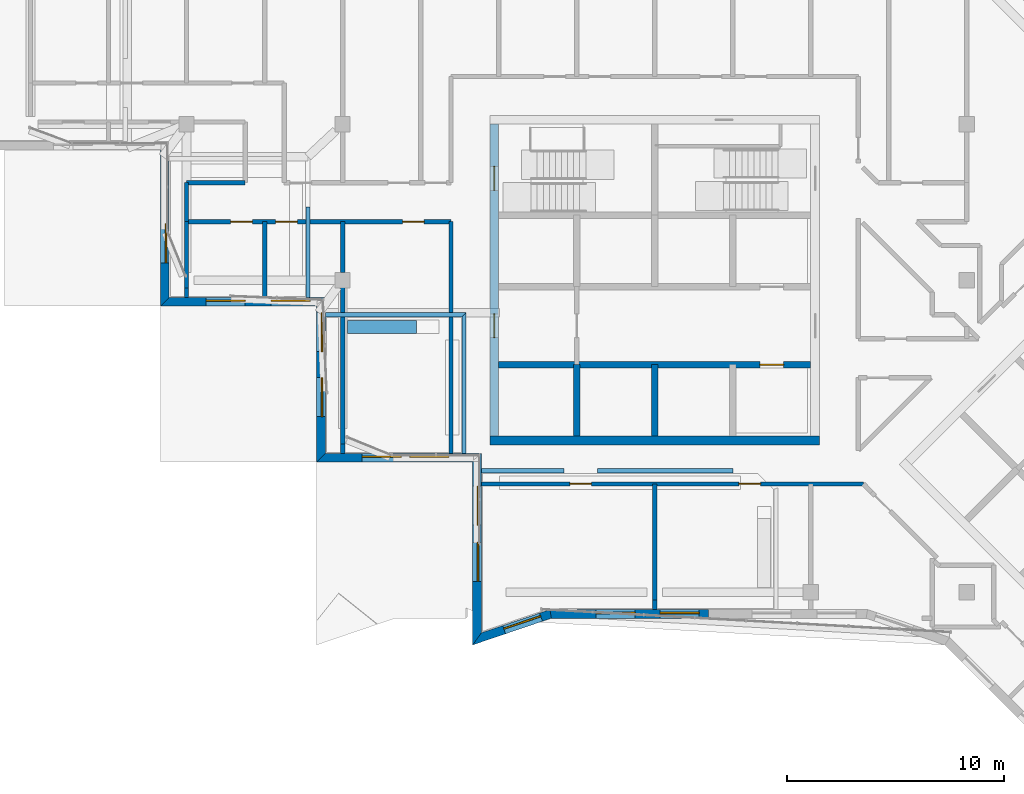
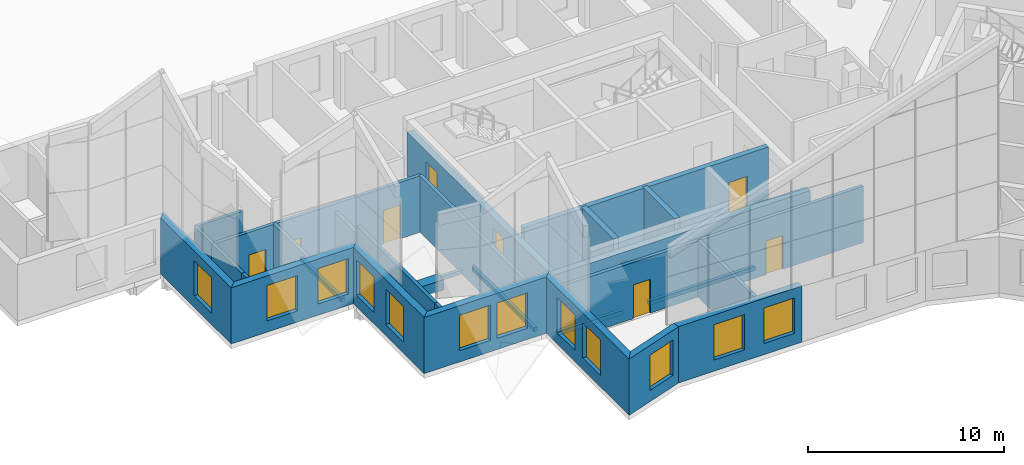
# One storey, part 11 of 20: 31 walls, 12 windows, 8 doors, 20 openings.
"""IFC4 building model written with IfcOpenShell, lengths in metres."""

from ifc_helpers import new_model, si_unit, direction, frame, frame_2d, origin, place, context, subcontext, project, spatial, polyline, rectangle, outline, extrude, material, layer, layer_set, type_object, element, fill, save


model = new_model("IFC4")

# Units and contexts
model_context = context("Model", 3, precision=1e-05, world=origin(), true_north=direction((0.0, 1.0)))
body_context = subcontext(model_context, "Body", "Model", "MODEL_VIEW")
ifc_project = project(units=[si_unit("LENGTHUNIT", "METRE"), si_unit("AREAUNIT", "SQUARE_METRE"), si_unit("VOLUMEUNIT", "CUBIC_METRE"), si_unit("PLANEANGLEUNIT", "RADIAN"), si_unit("MASSUNIT", "GRAM", prefix="KILO")], contexts=[model_context])

# Site, building, storey
site_placement = place(None, origin())
site = spatial("IfcSite", under=ifc_project, at=site_placement, CompositionType="ELEMENT")
building_placement = place(site_placement, origin())
building = spatial("IfcBuilding", under=site, at=building_placement, Name="Windrow Commons", CompositionType="ELEMENT")
storey_placement = place(building_placement, frame((0.0, 0.0, 290.6)))
storey = spatial("IfcBuildingStorey", under=building, at=storey_placement, Name="L79", CompositionType="ELEMENT", Elevation=290.6)

# Wall, openings, doors
ifc_material_1 = material(Name="Blockwork partition", Category="masonry")
ifc_layer_1 = layer(ifc_material_1, 0.2)
ifc_layer_set_1 = layer_set([ifc_layer_1], Name="IW-CORRIDOR-200")
wall_type_1 = type_object("IfcWallType", Name="IW-CORRIDOR-200", PredefinedType="PARTITIONING", material=ifc_layer_set_1)
wall_1_placement = place(storey_placement, frame((56.8, 48.2, 0.0), z_axis=(0.0, 0.0, 1.0), x_axis=(1.0, 0.0, 0.0)))
wall_1 = element("IfcWall", 1, at=wall_1_placement, inside=storey, type_object=wall_type_1, Name="W-L79-W003", PredefinedType="PARTITIONING", context=body_context, shape_type="SweptSolid", body=[
    extrude(rectangle(XDim=17.632, YDim=0.2, at=frame_2d((8.816, 0.0))), origin(), (0.0, 0.0, 1.0), 3.5),
])
opening_1_placement = place(wall_1_placement, frame((4.0813, 0.0, 0.0)))
opening_1 = element("IfcOpeningElement", 2, at=opening_1_placement, cuts=wall_1, Name="Opening D410F", PredefinedType="OPENING", context=body_context, shape_type="SweptSolid", body=[
    extrude(rectangle(XDim=1.0, YDim=2.1, at=frame_2d((0.5, 1.05))), frame((0.0, 0.11, 0.0), z_axis=(0.0, -1.0, 0.0), x_axis=(1.0, 0.0, 0.0)), (0.0, 0.0, 1.0), 0.22),
])
opening_2_placement = place(wall_1_placement, frame((11.8862, 0.0, 0.0)))
opening_2 = element("IfcOpeningElement", 3, at=opening_2_placement, cuts=wall_1, Name="Opening D410F", PredefinedType="OPENING", context=body_context, shape_type="SweptSolid", body=[
    extrude(rectangle(XDim=1.0, YDim=2.1, at=frame_2d((0.5, 1.05))), frame((0.0, 0.11, 0.0), z_axis=(0.0, -1.0, 0.0), x_axis=(1.0, 0.0, 0.0)), (0.0, 0.0, 1.0), 0.22),
])
ifc_material_2 = material(Name="Timber door leaf", Category="wood")
door_type_1 = type_object("IfcDoorType", Name="DT-SERVICE-1000", OperationType="SINGLE_SWING_LEFT", PredefinedType="DOOR", material=ifc_material_2)
door_1_placement = place(opening_1_placement, origin())
door_1 = element("IfcDoor", 4, at=door_1_placement, inside=storey, type_object=door_type_1, Name="D-L79-D000", OperationType="SINGLE_SWING_LEFT", OverallHeight=2.1, OverallWidth=1.0, PredefinedType="DOOR", context=body_context, shape_type="SweptSolid", body=[
    extrude(rectangle(XDim=1.0, YDim=2.1, at=frame_2d((0.5, 1.05))), frame((0.0, 0.025, 0.0), z_axis=(0.0, -1.0, 0.0), x_axis=(1.0, 0.0, 0.0)), (0.0, 0.0, 1.0), 0.05),
])
fill(opening_1, door_1)
door_2_placement = place(opening_2_placement, origin())
door_2 = element("IfcDoor", 5, at=door_2_placement, inside=storey, type_object=door_type_1, Name="D-L79-D001", OperationType="SINGLE_SWING_LEFT", OverallHeight=2.1, OverallWidth=1.0, PredefinedType="DOOR", context=body_context, shape_type="SweptSolid", body=[
    extrude(rectangle(XDim=1.0, YDim=2.1, at=frame_2d((0.5, 1.05))), frame((0.0, 0.025, 0.0), z_axis=(0.0, -1.0, 0.0), x_axis=(1.0, 0.0, 0.0)), (0.0, 0.0, 1.0), 0.05),
])
fill(opening_2, door_2)

wall_2_placement = place(storey_placement, frame((43.2, 60.3, 0.0), z_axis=(0.0, 0.0, 1.0), x_axis=(1.0, 0.0, 0.0)))
wall_2 = element("IfcWall", 6, at=wall_2_placement, inside=storey, type_object=wall_type_1, Name="W-L79-W004", PredefinedType="PARTITIONING", context=body_context, shape_type="SweptSolid", body=[
    extrude(rectangle(XDim=12.2, YDim=0.2, at=frame_2d((6.1, 0.0))), origin(), (0.0, 0.0, 1.0), 3.5),
])
opening_3_placement = place(wall_2_placement, frame((2.0325, 0.0, 0.0)))
opening_3 = element("IfcOpeningElement", 7, at=opening_3_placement, cuts=wall_2, Name="Opening D410F", PredefinedType="OPENING", context=body_context, shape_type="SweptSolid", body=[
    extrude(rectangle(XDim=1.0, YDim=2.1, at=frame_2d((0.5, 1.05))), frame((0.0, 0.11, 0.0), z_axis=(0.0, -1.0, 0.0), x_axis=(1.0, 0.0, 0.0)), (0.0, 0.0, 1.0), 0.22),
])
opening_4_placement = place(wall_2_placement, frame((4.1075, 0.0, 0.0)))
opening_4 = element("IfcOpeningElement", 8, at=opening_4_placement, cuts=wall_2, Name="Opening D410F", PredefinedType="OPENING", context=body_context, shape_type="SweptSolid", body=[
    extrude(rectangle(XDim=1.0, YDim=2.1, at=frame_2d((0.5, 1.05))), frame((0.0, 0.11, 0.0), z_axis=(0.0, -1.0, 0.0), x_axis=(1.0, 0.0, 0.0)), (0.0, 0.0, 1.0), 0.22),
])
opening_5_placement = place(wall_2_placement, frame((9.9647, 0.0, 0.0)))
opening_5 = element("IfcOpeningElement", 9, at=opening_5_placement, cuts=wall_2, Name="Opening D410F", PredefinedType="OPENING", context=body_context, shape_type="SweptSolid", body=[
    extrude(rectangle(XDim=1.0, YDim=2.1, at=frame_2d((0.5, 1.05))), frame((0.0, 0.11, 0.0), z_axis=(0.0, -1.0, 0.0), x_axis=(1.0, 0.0, 0.0)), (0.0, 0.0, 1.0), 0.22),
])
door_3_placement = place(opening_3_placement, origin())
door_3 = element("IfcDoor", 10, at=door_3_placement, inside=storey, type_object=door_type_1, Name="D-L79-D010", OperationType="SINGLE_SWING_LEFT", OverallHeight=2.1, OverallWidth=1.0, PredefinedType="DOOR", context=body_context, shape_type="SweptSolid", body=[
    extrude(rectangle(XDim=1.0, YDim=2.1, at=frame_2d((0.5, 1.05))), frame((0.0, 0.025, 0.0), z_axis=(0.0, -1.0, 0.0), x_axis=(1.0, 0.0, 0.0)), (0.0, 0.0, 1.0), 0.05),
])
fill(opening_3, door_3)
door_4_placement = place(opening_4_placement, origin())
door_4 = element("IfcDoor", 11, at=door_4_placement, inside=storey, type_object=door_type_1, Name="D-L79-D016", OperationType="SINGLE_SWING_RIGHT", OverallHeight=2.1, OverallWidth=1.0, PredefinedType="DOOR", context=body_context, shape_type="SweptSolid", body=[
    extrude(rectangle(XDim=1.0, YDim=2.1, at=frame_2d((0.5, 1.05))), frame((0.0, 0.025, 0.0), z_axis=(0.0, -1.0, 0.0), x_axis=(1.0, 0.0, 0.0)), (0.0, 0.0, 1.0), 0.05),
])
fill(opening_4, door_4)
door_5_placement = place(opening_5_placement, origin())
door_5 = element("IfcDoor", 12, at=door_5_placement, inside=storey, type_object=door_type_1, Name="D-L79-D017", OperationType="SINGLE_SWING_LEFT", OverallHeight=2.1, OverallWidth=1.0, PredefinedType="DOOR", context=body_context, shape_type="SweptSolid", body=[
    extrude(rectangle(XDim=1.0, YDim=2.1, at=frame_2d((0.5, 1.05))), frame((0.0, 0.025, 0.0), z_axis=(0.0, -1.0, 0.0), x_axis=(1.0, 0.0, 0.0)), (0.0, 0.0, 1.0), 0.05),
])
fill(opening_5, door_5)

# Walls
wall_3_placement = place(storey_placement, frame((55.4, 49.6, 0.0), z_axis=(0.0, 0.0, 1.0), x_axis=(0.0, 1.0, 0.0)))
element("IfcWall", 13, at=wall_3_placement, inside=storey, type_object=wall_type_1, Name="W-L79-W007", PredefinedType="PARTITIONING", context=body_context, shape_type="SweptSolid", body=[
    extrude(rectangle(XDim=10.7, YDim=0.2, at=frame_2d((5.35, 0.0))), origin(), (0.0, 0.0, 1.0), 3.5),
])
wall_4_placement = place(storey_placement, frame((43.202, 62.1, 0.0), z_axis=(0.0, 0.0, 1.0), x_axis=(1.0, 0.0, 0.0)))
element("IfcWall", 14, at=wall_4_placement, inside=storey, type_object=wall_type_1, Name="W-L79-W052", PredefinedType="PARTITIONING", context=body_context, shape_type="SweptSolid", body=[
    extrude(rectangle(XDim=2.698, YDim=0.2, at=frame_2d((1.349, 0.0))), origin(), (0.0, 0.0, 1.0), 3.5),
])
wall_5_placement = place(storey_placement, frame((43.2, 60.3, 0.0), z_axis=(0.0, 0.0, 1.0), x_axis=(0.0, 1.0, 0.0)))
element("IfcWall", 15, at=wall_5_placement, inside=storey, type_object=wall_type_1, Name="W-L79-W069", PredefinedType="PARTITIONING", context=body_context, shape_type="SweptSolid", body=[
    extrude(rectangle(XDim=1.8, YDim=0.2, at=frame_2d((0.9, 0.0))), origin(), (0.0, 0.0, 1.0), 3.5),
])
ifc_material_3 = material(Name="Blockwork partition", Category="masonry")
ifc_layer_2 = layer(ifc_material_3, 0.2)
ifc_layer_set_2 = layer_set([ifc_layer_2], Name="IW-PARTY-200")
wall_type_2 = type_object("IfcWallType", Name="IW-PARTY-200", PredefinedType="PARTITIONING", material=ifc_layer_set_2)
wall_6_placement = place(storey_placement, frame((50.4, 50.05, 0.0), z_axis=(0.0, 0.0, 1.0), x_axis=(0.0, 1.0, 0.0)))
element("IfcWall", 16, at=wall_6_placement, inside=storey, type_object=wall_type_2, Name="W-L79-W016", PredefinedType="PARTITIONING", context=body_context, shape_type="SweptSolid", body=[
    extrude(rectangle(XDim=7.9, YDim=0.2, at=frame_2d((3.95, 0.0))), origin(), (0.0, 0.0, 1.0), 3.5),
])
wall_7_placement = place(storey_placement, frame((64.8, 42.85, 0.0), z_axis=(0.0, 0.0, 1.0), x_axis=(0.0, 1.0, 0.0)))
element("IfcWall", 17, at=wall_7_placement, inside=storey, type_object=wall_type_2, Name="W-L79-W034", PredefinedType="PARTITIONING", context=body_context, shape_type="SweptSolid", body=[
    extrude(rectangle(XDim=5.35, YDim=0.2, at=frame_2d((2.675, 0.0))), origin(), (0.0, 0.0, 1.0), 3.5),
])
wall_8_placement = place(storey_placement, frame((43.2, 57.25, 0.0), z_axis=(0.0, 0.0, 1.0), x_axis=(0.0, 1.0, 0.0)))
element("IfcWall", 18, at=wall_8_placement, inside=storey, type_object=wall_type_2, Name="W-L79-W061", PredefinedType="PARTITIONING", context=body_context, shape_type="SweptSolid", body=[
    extrude(rectangle(XDim=3.05, YDim=0.2, at=frame_2d((1.525, 0.0))), origin(), (0.0, 0.0, 1.0), 3.5),
])
wall_9_placement = place(storey_placement, frame((50.4, 57.95, 0.0), z_axis=(0.0, 0.0, 1.0), x_axis=(0.0, 1.0, 0.0)))
element("IfcWall", 19, at=wall_9_placement, inside=storey, type_object=wall_type_2, Name="W-L79-W062", PredefinedType="PARTITIONING", context=body_context, shape_type="SweptSolid", body=[
    extrude(rectangle(XDim=2.35, YDim=0.2, at=frame_2d((1.175, 0.0))), origin(), (0.0, 0.0, 1.0), 3.0),
])
wall_10_placement = place(storey_placement, frame((46.8, 56.8, 0.0), z_axis=(0.0, 0.0, 1.0), x_axis=(0.0, 1.0, 0.0)))
element("IfcWall", 20, at=wall_10_placement, inside=storey, type_object=wall_type_2, Name="W-L79-W043", PredefinedType="PARTITIONING", context=body_context, shape_type="SweptSolid", body=[
    extrude(outline(polyline([(0.0, -0.1), (3.5, -0.1), (3.5, 0.1), (0.0, 0.1), (0.0, -0.1)])), origin(), (0.0, 0.0, 1.0), 3.5),
])
for number, where, z_axis, x_axis, name in (
    (21, (43.2, 56.8, 0.0), (0.0, 0.0, 1.0), (0.0, 1.0, 0.0), "W-L79-W086"),
    (22, (50.4, 49.6, 0.0), (0.0, 0.0, 1.0), (0.0, 1.0, 0.0), "W-L79-W087"),
    (23, (64.8, 42.4, 0.0), (0.0, 0.0, 1.0), (0.0, 1.0, 0.0), "W-L79-W088"),
):
    element("IfcWall", number, at=place(storey_placement, frame(where, z_axis=z_axis, x_axis=x_axis)), inside=storey, type_object=wall_type_2, Name=name, PredefinedType="PARTITIONING", context=body_context, shape_type="SweptSolid", body=[
        extrude(outline(polyline([(0.0, -0.1), (0.45, -0.1), (0.45, 0.1), (0.0, 0.1), (0.0, -0.1)])), origin(), (0.0, 0.0, 1.0), 3.5),
    ])
ifc_material_4 = material(Name="Concrete C30/37 planter wall", Category="concrete")
ifc_layer_3 = layer(ifc_material_4, 0.6)
ifc_layer_set_3 = layer_set([ifc_layer_3], Name="Planter 600x450")
wall_type_3 = type_object("IfcWallType", Name="Planter 600x450", PredefinedType="SOLIDWALL", material=ifc_layer_set_3)
wall_11_placement = place(storey_placement, frame((53.8, 55.45, 0.0), z_axis=(0.0, 0.0, 1.0), x_axis=(-1.0, 0.0, 0.0)))
element("IfcWall", 24, at=wall_11_placement, inside=storey, type_object=wall_type_3, Name="PLANTER TR-L79-3.2", PredefinedType="SOLIDWALL", context=body_context, shape_type="SweptSolid", body=[
    extrude(outline(polyline([(0.0, -0.3), (3.18, -0.3), (3.18, 0.3), (0.0, 0.3), (0.0, -0.3)])), origin(), (0.0, 0.0, 1.0), 0.65),
])
ifc_material_5 = material(Name="Concrete C40/50", Category="concrete")
ifc_layer_4 = layer(ifc_material_5, 0.4)
ifc_layer_set_4 = layer_set([ifc_layer_4], Name="RC CORE WALL 400 C40/50")
wall_type_4 = type_object("IfcWallType", Name="RC CORE WALL 400 C40/50", PredefinedType="SHEAR", material=ifc_layer_set_4)
wall_12_placement = place(storey_placement, frame((57.2, 50.2, -0.3), z_axis=(0.0, 0.0, 1.0), x_axis=(1.0, 0.0, 0.0)))
element("IfcWall", 25, at=wall_12_placement, inside=storey, type_object=wall_type_4, Name="Core A wall outer-S", PredefinedType="SHEAR", context=body_context, shape_type="SweptSolid", body=[
    extrude(rectangle(XDim=15.2, YDim=0.4, at=frame_2d((7.6, 0.0))), origin(), (0.0, 0.0, 1.0), 3.1),
])

# Wall, openings, doors
wall_13_placement = place(storey_placement, frame((57.4, 50.4, -0.3), z_axis=(0.0, 0.0, 1.0), x_axis=(0.0, 1.0, 0.0)))
wall_13 = element("IfcWall", 26, at=wall_13_placement, inside=storey, type_object=wall_type_4, Name="Core A wall outer-W", PredefinedType="SHEAR", context=body_context, shape_type="SweptSolid", body=[
    extrude(rectangle(XDim=14.4, YDim=0.4, at=frame_2d((7.2, 0.0))), origin(), (0.0, 0.0, 1.0), 3.1),
])
opening_6_placement = place(wall_13_placement, frame((4.55, 0.0, 0.3)))
opening_6 = element("IfcOpeningElement", 27, at=opening_6_placement, cuts=wall_13, Name="Opening D6", PredefinedType="OPENING", context=body_context, shape_type="SweptSolid", body=[
    extrude(rectangle(XDim=1.1, YDim=2.1, at=frame_2d((0.55, 1.05))), frame((0.0, 0.21, 0.0), z_axis=(0.0, -1.0, 0.0), x_axis=(1.0, 0.0, 0.0)), (0.0, 0.0, 1.0), 0.42),
])
opening_7_placement = place(wall_13_placement, frame((11.35, 0.0, 0.3)))
opening_7 = element("IfcOpeningElement", 28, at=opening_7_placement, cuts=wall_13, Name="Opening D7", PredefinedType="OPENING", context=body_context, shape_type="SweptSolid", body=[
    extrude(rectangle(XDim=1.1, YDim=2.1, at=frame_2d((0.55, 1.05))), frame((0.0, 0.21, 0.0), z_axis=(0.0, -1.0, 0.0), x_axis=(1.0, 0.0, 0.0)), (0.0, 0.0, 1.0), 0.42),
])
ifc_material_6 = material(Name="Steel fire door leaf", Category="steel")
door_type_2 = type_object("IfcDoorType", Name="Core lobby door 1100", OperationType="SINGLE_SWING_LEFT", PredefinedType="DOOR", material=ifc_material_6)
door_6_placement = place(opening_6_placement, origin())
door_6 = element("IfcDoor", 29, at=door_6_placement, inside=storey, type_object=door_type_2, Name="Lift lobby door", OperationType="DOUBLE_DOOR_SINGLE_SWING", OverallHeight=2.1, OverallWidth=1.1, PredefinedType="DOOR", context=body_context, shape_type="SweptSolid", body=[
    extrude(rectangle(XDim=1.1, YDim=2.1, at=frame_2d((0.55, 1.05))), frame((0.0, 0.025, 0.0), z_axis=(0.0, -1.0, 0.0), x_axis=(1.0, 0.0, 0.0)), (0.0, 0.0, 1.0), 0.05),
])
fill(opening_6, door_6)
ifc_material_7 = material(Name="Steel fire door leaf", Category="steel")
door_type_3 = type_object("IfcDoorType", Name="Stair door 1100", OperationType="SINGLE_SWING_LEFT", PredefinedType="DOOR", material=ifc_material_7)
door_7_placement = place(opening_7_placement, origin())
door_7 = element("IfcDoor", 30, at=door_7_placement, inside=storey, type_object=door_type_3, Name="Stair door", OperationType="SINGLE_SWING_LEFT", OverallHeight=2.1, OverallWidth=1.1, PredefinedType="DOOR", context=body_context, shape_type="SweptSolid", body=[
    extrude(rectangle(XDim=1.1, YDim=2.1, at=frame_2d((0.55, 1.05))), frame((0.0, 0.025, 0.0), z_axis=(0.0, -1.0, 0.0), x_axis=(1.0, 0.0, 0.0)), (0.0, 0.0, 1.0), 0.05),
])
fill(opening_7, door_7)

# Walls
ifc_material_8 = material(Name="Concrete C40/50", Category="concrete")
ifc_layer_5 = layer(ifc_material_8, 0.3)
ifc_layer_set_5 = layer_set([ifc_layer_5], Name="RC SHAFT WALL 300 C40/50")
wall_type_5 = type_object("IfcWallType", Name="RC SHAFT WALL 300 C40/50", PredefinedType="SOLIDWALL", material=ifc_layer_set_5)
for number, where, z_axis, x_axis, name in (
    (31, (61.2, 50.4, 0.0), (0.0, 0.0, 1.0), (0.0, 1.0, 0.0), "Core A wall shaft-S1"),
    (32, (64.8, 50.4, 0.0), (0.0, 0.0, 1.0), (0.0, 1.0, 0.0), "Core A wall shaft-S2"),
):
    element("IfcWall", number, at=place(storey_placement, frame(where, z_axis=z_axis, x_axis=x_axis)), inside=storey, type_object=wall_type_5, Name=name, PredefinedType="SOLIDWALL", context=body_context, shape_type="SweptSolid", body=[
        extrude(rectangle(XDim=3.3, YDim=0.3, at=frame_2d((1.65, 0.0))), origin(), (0.0, 0.0, 1.0), 3.5),
    ])

# Wall, opening, door
wall_14_placement = place(storey_placement, frame((57.6, 53.7, 0.0), z_axis=(0.0, 0.0, 1.0), x_axis=(1.0, 0.0, 0.0)))
wall_14 = element("IfcWall", 33, at=wall_14_placement, inside=storey, type_object=wall_type_5, Name="Core A wall lobby-S", PredefinedType="SOLIDWALL", context=body_context, shape_type="SweptSolid", body=[
    extrude(rectangle(XDim=14.4, YDim=0.3, at=frame_2d((7.2, 0.0))), origin(), (0.0, 0.0, 1.0), 3.5),
])
opening_8_placement = place(wall_14_placement, frame((12.05, 0.0, 0.0)))
opening_8 = element("IfcOpeningElement", 34, at=opening_8_placement, cuts=wall_14, Name="Opening LD", PredefinedType="OPENING", context=body_context, shape_type="SweptSolid", body=[
    extrude(rectangle(XDim=1.1, YDim=2.1, at=frame_2d((0.55, 1.05))), frame((0.0, 0.16, 0.0), z_axis=(0.0, -1.0, 0.0), x_axis=(1.0, 0.0, 0.0)), (0.0, 0.0, 1.0), 0.32),
])
ifc_material_9 = material(Name="Stainless steel door leaf", Category="steel")
door_type_4 = type_object("IfcDoorType", Name="Lift landing door 1100", OperationType="SLIDING_TO_LEFT", PredefinedType="DOOR", material=ifc_material_9)
door_8_placement = place(opening_8_placement, origin())
door_8 = element("IfcDoor", 35, at=door_8_placement, inside=storey, type_object=door_type_4, Name="Lift landing door", OperationType="SLIDING_TO_RIGHT", OverallHeight=2.1, OverallWidth=1.1, PredefinedType="DOOR", context=body_context, shape_type="SweptSolid", body=[
    extrude(rectangle(XDim=1.1, YDim=2.1, at=frame_2d((0.55, 1.05))), frame((0.0, 0.025, 0.0), z_axis=(0.0, -1.0, 0.0), x_axis=(1.0, 0.0, 0.0)), (0.0, 0.0, 1.0), 0.05),
])
fill(opening_8, door_8)

# Walls
ifc_material_10 = material(Name="Brick masonry, red clay brick", Category="masonry")
ifc_layer_6 = layer(ifc_material_10, 0.2)
ifc_layer_set_6 = layer_set([ifc_layer_6], Name="Terrace edge parapet 200")
wall_type_6 = type_object("IfcWallType", Name="Terrace edge parapet 200", PredefinedType="PARAPET", material=ifc_layer_set_6)
wall_15_placement = place(storey_placement, frame((56.0, 49.6, 0.0), z_axis=(0.0, 0.0, 1.0), x_axis=(0.0, 1.0, 0.0)))
element("IfcWall", 36, at=wall_15_placement, inside=storey, type_object=wall_type_6, Name="Terrace parapet TR-L79-3.1.1", PredefinedType="PARAPET", context=body_context, shape_type="SweptSolid", body=[
    extrude(outline(polyline([(0.0, -0.1), (6.5, -0.1), (6.3, 0.1), (0.0, 0.1), (0.0, -0.1)])), origin(), (0.0, 0.0, 1.0), 0.25),
])
wall_16_placement = place(storey_placement, frame((56.0, 56.0, 0.0), z_axis=(0.0, 0.0, 1.0), x_axis=(-1.0, 0.0, 0.0)))
element("IfcWall", 37, at=wall_16_placement, inside=storey, type_object=wall_type_6, Name="Terrace parapet TR-L79-3.1.2", PredefinedType="PARAPET", context=body_context, shape_type="SweptSolid", body=[
    extrude(outline(polyline([(-0.1, -0.1), (6.4, -0.1), (6.4, 0.1), (0.1, 0.1), (-0.1, -0.1)])), origin(), (0.0, 0.0, 1.0), 0.25),
])
wall_17_placement = place(storey_placement, frame((48.8, 56.8, 0.0), z_axis=(0.0, 0.0, 1.0), x_axis=(0.0, 1.0, 0.0)))
element("IfcWall", 38, at=wall_17_placement, inside=storey, type_object=wall_type_6, Name="Terrace parapet TR-L79-2.1.1", PredefinedType="PARAPET", context=body_context, shape_type="SweptSolid", body=[
    extrude(outline(polyline([(0.0, -0.1), (4.18, -0.1), (4.18, 0.1), (0.0, 0.1), (0.0, -0.1)])), origin(), (0.0, 0.0, 1.0), 0.25),
])
wall_18_placement = place(storey_placement, frame((68.4162, 48.8, 0.0), z_axis=(0.0, 0.0, 1.0), x_axis=(-1.0, 0.0, 0.0)))
element("IfcWall", 39, at=wall_18_placement, inside=storey, type_object=wall_type_6, Name="Terrace parapet TR-L79-4.1.3", PredefinedType="PARAPET", context=body_context, shape_type="SweptSolid", body=[
    extrude(outline(polyline([(0.0, -0.1), (6.2649, -0.1), (6.2649, 0.1), (0.0, 0.1), (0.0, -0.1)])), origin(), (0.0, 0.0, 1.0), 0.25),
])
wall_19_placement = place(storey_placement, frame((60.6113, 48.8, 0.0), z_axis=(0.0, 0.0, 1.0), x_axis=(-1.0, 0.0, 0.0)))
element("IfcWall", 40, at=wall_19_placement, inside=storey, type_object=wall_type_6, Name="Terrace parapet TR-L79-4.1.3", PredefinedType="PARAPET", context=body_context, shape_type="SweptSolid", body=[
    extrude(outline(polyline([(0.0, -0.1), (3.8113, -0.1), (3.8113, 0.1), (0.0, 0.1), (0.0, -0.1)])), origin(), (0.0, 0.0, 1.0), 0.25),
])

# Wall, opening, window
ifc_material_11 = material(Name="Standing seam zinc cladding on insulated masonry backing", Category="masonry")
ifc_layer_7 = layer(ifc_material_11, 0.4)
ifc_layer_set_7 = layer_set([ifc_layer_7], Name="Zinc clad crown wall 400")
wall_type_7 = type_object("IfcWallType", Name="Zinc clad crown wall 400", PredefinedType="SOLIDWALL", material=ifc_layer_set_7)
wall_20_placement = place(storey_placement, frame((42.2, 63.8, 0.0), z_axis=(0.0, 0.0, 1.0), x_axis=(0.0, -1.0, 0.0)))
wall_20 = element("IfcWall", 41, at=wall_20_placement, inside=storey, type_object=wall_type_7, Name="Brick facade wall L79 19", PredefinedType="SOLIDWALL", context=body_context, shape_type="SweptSolid", body=[
    extrude(outline(polyline([(0.2, -0.2), (7.4, -0.2), (7.0, 0.2), (-0.2, 0.2), (0.2, -0.2)])), origin(), (0.0, 0.0, 1.0), 3.5),
])
opening_9_placement = place(wall_20_placement, frame((3.6, 0.0, 0.7)))
opening_9 = element("IfcOpeningElement", 42, at=opening_9_placement, cuts=wall_20, Name="Opening W6", PredefinedType="OPENING", context=body_context, shape_type="SweptSolid", body=[
    extrude(rectangle(XDim=1.8, YDim=2.2, at=frame_2d((0.9, 1.1))), frame((0.0, 0.21, 0.0), z_axis=(0.0, -1.0, 0.0), x_axis=(1.0, 0.0, 0.0)), (0.0, 0.0, 1.0), 0.42),
])
ifc_material_12 = material(Name="Clear float glass in anodised aluminium frame", Category="aluminium")
window_type = type_object("IfcWindowType", Name="Window W6 crown 1800x2200", PartitioningType="SINGLE_PANEL", PredefinedType="WINDOW", material=ifc_material_12)
window_1_placement = place(opening_9_placement, origin())
window_1 = element("IfcWindow", 43, at=window_1_placement, inside=storey, type_object=window_type, Name="Window L79 19.2", OverallHeight=2.2, OverallWidth=1.8, PartitioningType="SINGLE_PANEL", PredefinedType="WINDOW", context=body_context, shape_type="SweptSolid", body=[
    extrude(rectangle(XDim=1.8, YDim=2.2, at=frame_2d((0.9, 1.1))), frame((0.0, 0.08, 0.0), z_axis=(0.0, -1.0, 0.0), x_axis=(1.0, 0.0, 0.0)), (0.0, 0.0, 1.0), 0.06),
])
fill(opening_9, window_1)

# Wall, openings, windows
wall_21_placement = place(storey_placement, frame((42.2, 56.6, 0.0), z_axis=(0.0, 0.0, 1.0), x_axis=(1.0, 0.0, 0.0)))
wall_21 = element("IfcWall", 44, at=wall_21_placement, inside=storey, type_object=wall_type_7, Name="Brick facade wall L79 20", PredefinedType="SOLIDWALL", context=body_context, shape_type="SweptSolid", body=[
    extrude(outline(polyline([(-0.2, -0.2), (7.0, -0.2), (7.4, 0.2), (0.2, 0.2), (-0.2, -0.2)])), origin(), (0.0, 0.0, 1.0), 3.5),
])
opening_10_placement = place(wall_21_placement, frame((1.9, 0.0, 0.7)))
opening_10 = element("IfcOpeningElement", 45, at=opening_10_placement, cuts=wall_21, Name="Opening W6", PredefinedType="OPENING", context=body_context, shape_type="SweptSolid", body=[
    extrude(rectangle(XDim=1.8, YDim=2.2, at=frame_2d((0.9, 1.1))), frame((0.0, 0.21, 0.0), z_axis=(0.0, -1.0, 0.0), x_axis=(1.0, 0.0, 0.0)), (0.0, 0.0, 1.0), 0.42),
])
opening_11_placement = place(wall_21_placement, frame((4.9, 0.0, 0.7)))
opening_11 = element("IfcOpeningElement", 46, at=opening_11_placement, cuts=wall_21, Name="Opening W6", PredefinedType="OPENING", context=body_context, shape_type="SweptSolid", body=[
    extrude(rectangle(XDim=1.8, YDim=2.2, at=frame_2d((0.9, 1.1))), frame((0.0, 0.21, 0.0), z_axis=(0.0, -1.0, 0.0), x_axis=(1.0, 0.0, 0.0)), (0.0, 0.0, 1.0), 0.42),
])
window_2_placement = place(opening_10_placement, origin())
window_2 = element("IfcWindow", 47, at=window_2_placement, inside=storey, type_object=window_type, Name="Window L79 20.1", OverallHeight=2.2, OverallWidth=1.8, PartitioningType="SINGLE_PANEL", PredefinedType="WINDOW", context=body_context, shape_type="SweptSolid", body=[
    extrude(rectangle(XDim=1.8, YDim=2.2, at=frame_2d((0.9, 1.1))), frame((0.0, 0.08, 0.0), z_axis=(0.0, -1.0, 0.0), x_axis=(1.0, 0.0, 0.0)), (0.0, 0.0, 1.0), 0.06),
])
fill(opening_10, window_2)
window_3_placement = place(opening_11_placement, origin())
window_3 = element("IfcWindow", 48, at=window_3_placement, inside=storey, type_object=window_type, Name="Window L79 20.2", OverallHeight=2.2, OverallWidth=1.8, PartitioningType="SINGLE_PANEL", PredefinedType="WINDOW", context=body_context, shape_type="SweptSolid", body=[
    extrude(rectangle(XDim=1.8, YDim=2.2, at=frame_2d((0.9, 1.1))), frame((0.0, 0.08, 0.0), z_axis=(0.0, -1.0, 0.0), x_axis=(1.0, 0.0, 0.0)), (0.0, 0.0, 1.0), 0.06),
])
fill(opening_11, window_3)

wall_22_placement = place(storey_placement, frame((49.4, 56.6, 0.0), z_axis=(0.0, 0.0, 1.0), x_axis=(0.0, -1.0, 0.0)))
wall_22 = element("IfcWall", 49, at=wall_22_placement, inside=storey, type_object=wall_type_7, Name="Brick facade wall L79 21", PredefinedType="SOLIDWALL", context=body_context, shape_type="SweptSolid", body=[
    extrude(outline(polyline([(0.2, -0.2), (7.4, -0.2), (7.0, 0.2), (-0.2, 0.2), (0.2, -0.2)])), origin(), (0.0, 0.0, 1.0), 3.5),
])
opening_12_placement = place(wall_22_placement, frame((0.5, 0.0, 0.7)))
opening_12 = element("IfcOpeningElement", 50, at=opening_12_placement, cuts=wall_22, Name="Opening W6", PredefinedType="OPENING", context=body_context, shape_type="SweptSolid", body=[
    extrude(rectangle(XDim=1.8, YDim=2.2, at=frame_2d((0.9, 1.1))), frame((0.0, 0.21, 0.0), z_axis=(0.0, -1.0, 0.0), x_axis=(1.0, 0.0, 0.0)), (0.0, 0.0, 1.0), 0.42),
])
opening_13_placement = place(wall_22_placement, frame((3.5, 0.0, 0.7)))
opening_13 = element("IfcOpeningElement", 51, at=opening_13_placement, cuts=wall_22, Name="Opening W6", PredefinedType="OPENING", context=body_context, shape_type="SweptSolid", body=[
    extrude(rectangle(XDim=1.8, YDim=2.2, at=frame_2d((0.9, 1.1))), frame((0.0, 0.21, 0.0), z_axis=(0.0, -1.0, 0.0), x_axis=(1.0, 0.0, 0.0)), (0.0, 0.0, 1.0), 0.42),
])
window_4_placement = place(opening_12_placement, origin())
window_4 = element("IfcWindow", 52, at=window_4_placement, inside=storey, type_object=window_type, Name="Window L79 21.1", OverallHeight=2.2, OverallWidth=1.8, PartitioningType="SINGLE_PANEL", PredefinedType="WINDOW", context=body_context, shape_type="SweptSolid", body=[
    extrude(rectangle(XDim=1.8, YDim=2.2, at=frame_2d((0.9, 1.1))), frame((0.0, 0.08, 0.0), z_axis=(0.0, -1.0, 0.0), x_axis=(1.0, 0.0, 0.0)), (0.0, 0.0, 1.0), 0.06),
])
fill(opening_12, window_4)
window_5_placement = place(opening_13_placement, origin())
window_5 = element("IfcWindow", 53, at=window_5_placement, inside=storey, type_object=window_type, Name="Window L79 21.2", OverallHeight=2.2, OverallWidth=1.8, PartitioningType="SINGLE_PANEL", PredefinedType="WINDOW", context=body_context, shape_type="SweptSolid", body=[
    extrude(rectangle(XDim=1.8, YDim=2.2, at=frame_2d((0.9, 1.1))), frame((0.0, 0.08, 0.0), z_axis=(0.0, -1.0, 0.0), x_axis=(1.0, 0.0, 0.0)), (0.0, 0.0, 1.0), 0.06),
])
fill(opening_13, window_5)

wall_23_placement = place(storey_placement, frame((49.4, 49.4, 0.0), z_axis=(0.0, 0.0, 1.0), x_axis=(1.0, 0.0, 0.0)))
wall_23 = element("IfcWall", 54, at=wall_23_placement, inside=storey, type_object=wall_type_7, Name="Brick facade wall L79 22", PredefinedType="SOLIDWALL", context=body_context, shape_type="SweptSolid", body=[
    extrude(outline(polyline([(-0.2, -0.2), (7.0, -0.2), (7.4, 0.2), (0.2, 0.2), (-0.2, -0.2)])), origin(), (0.0, 0.0, 1.0), 3.5),
])
opening_14_placement = place(wall_23_placement, frame((1.9, 0.0, 0.7)))
opening_14 = element("IfcOpeningElement", 55, at=opening_14_placement, cuts=wall_23, Name="Opening W6", PredefinedType="OPENING", context=body_context, shape_type="SweptSolid", body=[
    extrude(rectangle(XDim=1.8, YDim=2.2, at=frame_2d((0.9, 1.1))), frame((0.0, 0.21, 0.0), z_axis=(0.0, -1.0, 0.0), x_axis=(1.0, 0.0, 0.0)), (0.0, 0.0, 1.0), 0.42),
])
opening_15_placement = place(wall_23_placement, frame((4.1, 0.0, 0.7)))
opening_15 = element("IfcOpeningElement", 56, at=opening_15_placement, cuts=wall_23, Name="Opening W6", PredefinedType="OPENING", context=body_context, shape_type="SweptSolid", body=[
    extrude(rectangle(XDim=1.8, YDim=2.2, at=frame_2d((0.9, 1.1))), frame((0.0, 0.21, 0.0), z_axis=(0.0, -1.0, 0.0), x_axis=(1.0, 0.0, 0.0)), (0.0, 0.0, 1.0), 0.42),
])
window_6_placement = place(opening_14_placement, origin())
window_6 = element("IfcWindow", 57, at=window_6_placement, inside=storey, type_object=window_type, Name="Window L79 22.1", OverallHeight=2.2, OverallWidth=1.8, PartitioningType="SINGLE_PANEL", PredefinedType="WINDOW", context=body_context, shape_type="SweptSolid", body=[
    extrude(rectangle(XDim=1.8, YDim=2.2, at=frame_2d((0.9, 1.1))), frame((0.0, 0.08, 0.0), z_axis=(0.0, -1.0, 0.0), x_axis=(1.0, 0.0, 0.0)), (0.0, 0.0, 1.0), 0.06),
])
fill(opening_14, window_6)
window_7_placement = place(opening_15_placement, origin())
window_7 = element("IfcWindow", 58, at=window_7_placement, inside=storey, type_object=window_type, Name="Window L79 22.2", OverallHeight=2.2, OverallWidth=1.8, PartitioningType="SINGLE_PANEL", PredefinedType="WINDOW", context=body_context, shape_type="SweptSolid", body=[
    extrude(rectangle(XDim=1.8, YDim=2.2, at=frame_2d((0.9, 1.1))), frame((0.0, 0.08, 0.0), z_axis=(0.0, -1.0, 0.0), x_axis=(1.0, 0.0, 0.0)), (0.0, 0.0, 1.0), 0.06),
])
fill(opening_15, window_7)

wall_24_placement = place(storey_placement, frame((56.6, 49.4, 0.0), z_axis=(0.0, 0.0, 1.0), x_axis=(0.0, -1.0, 0.0)))
wall_24 = element("IfcWall", 59, at=wall_24_placement, inside=storey, type_object=wall_type_7, Name="Brick facade wall L79 23", PredefinedType="SOLIDWALL", context=body_context, shape_type="SweptSolid", body=[
    extrude(outline(polyline([(0.2, -0.2), (8.633, -0.2), (8.0748, 0.2), (-0.2, 0.2), (0.2, -0.2)])), origin(), (0.0, 0.0, 1.0), 3.5),
])
opening_16_placement = place(wall_24_placement, frame((1.3, 0.0, 0.7)))
opening_16 = element("IfcOpeningElement", 60, at=opening_16_placement, cuts=wall_24, Name="Opening W6", PredefinedType="OPENING", context=body_context, shape_type="SweptSolid", body=[
    extrude(rectangle(XDim=1.8, YDim=2.2, at=frame_2d((0.9, 1.1))), frame((0.0, 0.21, 0.0), z_axis=(0.0, -1.0, 0.0), x_axis=(1.0, 0.0, 0.0)), (0.0, 0.0, 1.0), 0.42),
])
opening_17_placement = place(wall_24_placement, frame((3.9, 0.0, 0.7)))
opening_17 = element("IfcOpeningElement", 61, at=opening_17_placement, cuts=wall_24, Name="Opening W6", PredefinedType="OPENING", context=body_context, shape_type="SweptSolid", body=[
    extrude(rectangle(XDim=1.8, YDim=2.2, at=frame_2d((0.9, 1.1))), frame((0.0, 0.21, 0.0), z_axis=(0.0, -1.0, 0.0), x_axis=(1.0, 0.0, 0.0)), (0.0, 0.0, 1.0), 0.42),
])
window_8_placement = place(opening_16_placement, origin())
window_8 = element("IfcWindow", 62, at=window_8_placement, inside=storey, type_object=window_type, Name="Window L79 23.1", OverallHeight=2.2, OverallWidth=1.8, PartitioningType="SINGLE_PANEL", PredefinedType="WINDOW", context=body_context, shape_type="SweptSolid", body=[
    extrude(rectangle(XDim=1.8, YDim=2.2, at=frame_2d((0.9, 1.1))), frame((0.0, 0.08, 0.0), z_axis=(0.0, -1.0, 0.0), x_axis=(1.0, 0.0, 0.0)), (0.0, 0.0, 1.0), 0.06),
])
fill(opening_16, window_8)
window_9_placement = place(opening_17_placement, origin())
window_9 = element("IfcWindow", 63, at=window_9_placement, inside=storey, type_object=window_type, Name="Window L79 23.2", OverallHeight=2.2, OverallWidth=1.8, PartitioningType="SINGLE_PANEL", PredefinedType="WINDOW", context=body_context, shape_type="SweptSolid", body=[
    extrude(rectangle(XDim=1.8, YDim=2.2, at=frame_2d((0.9, 1.1))), frame((0.0, 0.08, 0.0), z_axis=(0.0, -1.0, 0.0), x_axis=(1.0, 0.0, 0.0)), (0.0, 0.0, 1.0), 0.06),
])
fill(opening_17, window_9)

# Wall, opening, window
wall_25_placement = place(storey_placement, frame((56.6, 41.0461, 0.0), z_axis=(0.0, 0.0, 1.0), x_axis=(0.9469076784, 0.3215055966, 0.0)))
wall_25 = element("IfcWall", 64, at=wall_25_placement, inside=storey, type_object=wall_type_7, Name="Brick facade wall L79 24", PredefinedType="SOLIDWALL", context=body_context, shape_type="SweptSolid", body=[
    extrude(outline(polyline([(-0.2791, -0.2), (3.556, -0.2), (3.622, 0.2), (0.2791, 0.2), (-0.2791, -0.2)])), origin(), (0.0, 0.0, 1.0), 3.5),
])
opening_18_placement = place(wall_25_placement, frame((1.3225, 0.0, 0.7)))
opening_18 = element("IfcOpeningElement", 65, at=opening_18_placement, cuts=wall_25, Name="Opening W6", PredefinedType="OPENING", context=body_context, shape_type="SweptSolid", body=[
    extrude(rectangle(XDim=1.8, YDim=2.2, at=frame_2d((0.9, 1.1))), frame((0.0, 0.21, 0.0), z_axis=(0.0, -1.0, 0.0), x_axis=(1.0, 0.0, 0.0)), (0.0, 0.0, 1.0), 0.42),
])
window_10_placement = place(opening_18_placement, origin())
window_10 = element("IfcWindow", 66, at=window_10_placement, inside=storey, type_object=window_type, Name="Window L79 24.1", OverallHeight=2.2, OverallWidth=1.8, PartitioningType="SINGLE_PANEL", PredefinedType="WINDOW", context=body_context, shape_type="SweptSolid", body=[
    extrude(rectangle(XDim=1.8, YDim=2.2, at=frame_2d((0.9, 1.1))), frame((0.0, 0.08, 0.0), z_axis=(0.0, -1.0, 0.0), x_axis=(1.0, 0.0, 0.0)), (0.0, 0.0, 1.0), 0.06),
])
fill(opening_18, window_10)

# Wall, openings, windows
wall_26_placement = place(storey_placement, frame((59.9985, 42.2, 0.0), z_axis=(0.0, 0.0, 1.0), x_axis=(1.0, 0.0, 0.0)))
wall_26 = element("IfcWall", 67, at=wall_26_placement, inside=storey, type_object=wall_type_7, Name="Brick facade wall L79 25", PredefinedType="SOLIDWALL", context=body_context, shape_type="SweptSolid", body=[
    extrude(outline(polyline([(0.033, -0.2), (7.296, -0.2), (7.296, 0.2), (-0.033, 0.2), (0.033, -0.2)])), origin(), (0.0, 0.0, 1.0), 3.5),
])
opening_19_placement = place(wall_26_placement, frame((2.1015, 0.0, 0.7)))
opening_19 = element("IfcOpeningElement", 68, at=opening_19_placement, cuts=wall_26, Name="Opening W6", PredefinedType="OPENING", context=body_context, shape_type="SweptSolid", body=[
    extrude(rectangle(XDim=1.8, YDim=2.2, at=frame_2d((0.9, 1.1))), frame((0.0, 0.21, 0.0), z_axis=(0.0, -1.0, 0.0), x_axis=(1.0, 0.0, 0.0)), (0.0, 0.0, 1.0), 0.42),
])
opening_20_placement = place(wall_26_placement, frame((5.0488, 0.0, 0.7)))
opening_20 = element("IfcOpeningElement", 69, at=opening_20_placement, cuts=wall_26, Name="Opening W6", PredefinedType="OPENING", context=body_context, shape_type="SweptSolid", body=[
    extrude(rectangle(XDim=1.8, YDim=2.2, at=frame_2d((0.9, 1.1))), frame((0.0, 0.21, 0.0), z_axis=(0.0, -1.0, 0.0), x_axis=(1.0, 0.0, 0.0)), (0.0, 0.0, 1.0), 0.42),
])
window_11_placement = place(opening_19_placement, origin())
window_11 = element("IfcWindow", 70, at=window_11_placement, inside=storey, type_object=window_type, Name="Window L79 25.1", OverallHeight=2.2, OverallWidth=1.8, PartitioningType="SINGLE_PANEL", PredefinedType="WINDOW", context=body_context, shape_type="SweptSolid", body=[
    extrude(rectangle(XDim=1.8, YDim=2.2, at=frame_2d((0.9, 1.1))), frame((0.0, 0.08, 0.0), z_axis=(0.0, -1.0, 0.0), x_axis=(1.0, 0.0, 0.0)), (0.0, 0.0, 1.0), 0.06),
])
fill(opening_19, window_11)
window_12_placement = place(opening_20_placement, origin())
window_12 = element("IfcWindow", 71, at=window_12_placement, inside=storey, type_object=window_type, Name="Window L79 25.2", OverallHeight=2.2, OverallWidth=1.8, PartitioningType="SINGLE_PANEL", PredefinedType="WINDOW", context=body_context, shape_type="SweptSolid", body=[
    extrude(rectangle(XDim=1.8, YDim=2.2, at=frame_2d((0.9, 1.1))), frame((0.0, 0.08, 0.0), z_axis=(0.0, -1.0, 0.0), x_axis=(1.0, 0.0, 0.0)), (0.0, 0.0, 1.0), 0.06),
])
fill(opening_20, window_12)

save(model, "model.ifc")
